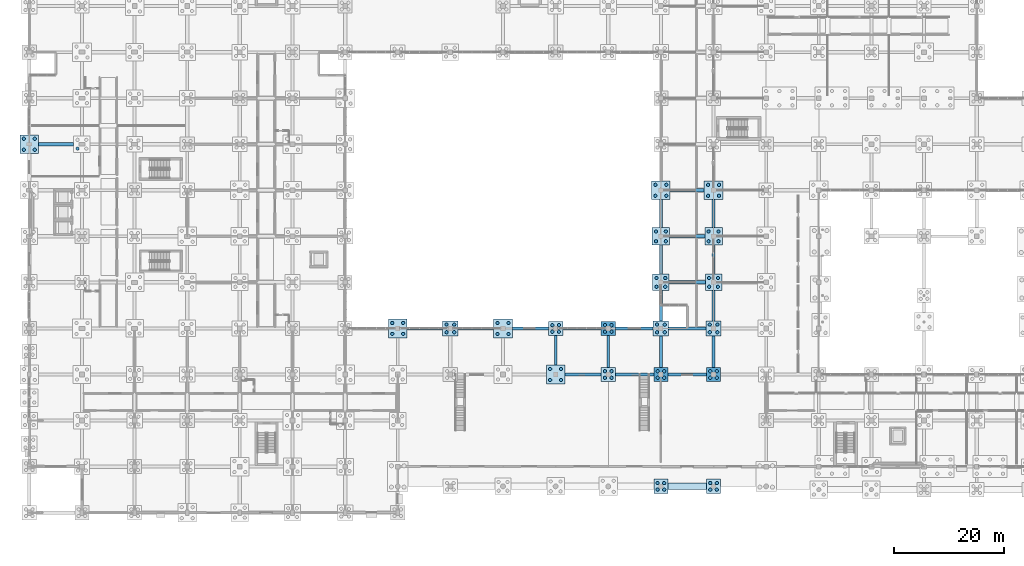
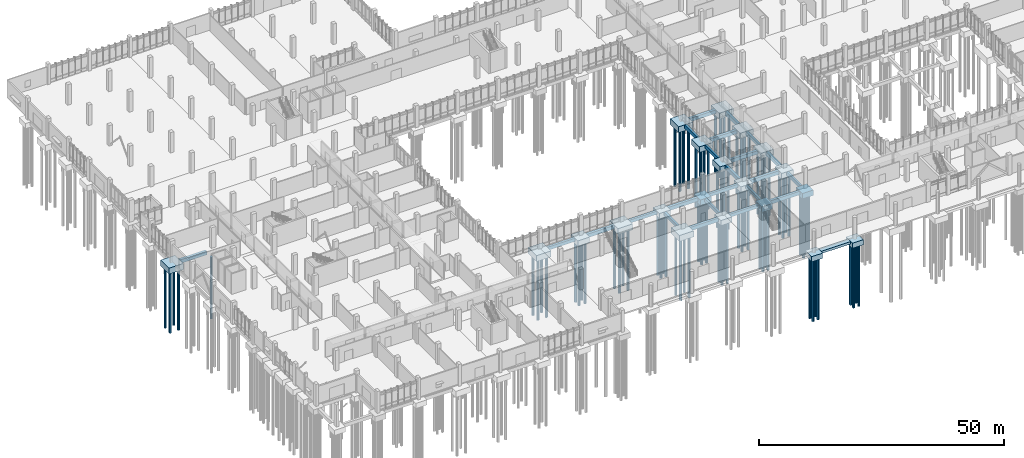
# One storey, part 5 of 136: 81 piles, 44 footings.
"""IFC4 building model written with IfcOpenShell, lengths in metres."""

from ifc_helpers import new_model, si_unit, direction, frame, origin, origin_2d, place, context, subcontext, project, spatial, rectangle, circle, extrude, material, material_profile, profile_set, type_object, element, save


model = new_model("IFC4")

# Units and contexts
model_context = context("Model", 3, precision=1e-05, world=origin(), true_north=direction((0.0, 1.0)))
body_context = subcontext(model_context, "Body", "Model", "MODEL_VIEW")
ifc_project = project(units=[si_unit("LENGTHUNIT", "METRE"), si_unit("AREAUNIT", "SQUARE_METRE"), si_unit("VOLUMEUNIT", "CUBIC_METRE"), si_unit("PLANEANGLEUNIT", "RADIAN"), si_unit("MASSUNIT", "GRAM", prefix="KILO")], contexts=[model_context])

# Site, building, storey
site_placement = place(None, origin())
site = spatial("IfcSite", under=ifc_project, at=site_placement, CompositionType="ELEMENT")
building_placement = place(site_placement, origin())
building = spatial("IfcBuilding", under=site, at=building_placement, Name="Oolite Switchyard Hospital", CompositionType="ELEMENT")
storey_placement = place(building_placement, origin())
storey = spatial("IfcBuildingStorey", under=building, at=storey_placement, Name="L00", CompositionType="ELEMENT", Elevation=0.0)

# Footings
ifc_material = material(Name="Concrete C40/50", Category="concrete")
footing_type_1 = type_object("IfcFootingType", Name="FTG-GB500X800", PredefinedType="FOOTING_BEAM", material=ifc_material)
footing_1_placement = place(storey_placement, frame((110.39990234375, 25.199951171875, -1.14990234375), z_axis=(0.0, 0.0, 1.0), x_axis=(1.0, 0.0, 0.0)))
element("IfcFooting", 1, at=footing_1_placement, inside=storey, type_object=footing_type_1, Name="L00 Grade Beam 46", PredefinedType="FOOTING_BEAM", context=body_context, shape_type="SweptSolid", body=[
    extrude(rectangle(XDim=7.0, YDim=0.5, at=origin_2d()), origin(), (0.0, 0.0, 1.0), 0.800048828125),
])
footing_2_placement = place(storey_placement, frame((72.14990234375, 33.60009765625, -1.14990234375), z_axis=(0.0, 0.0, 1.0), x_axis=(1.0, 0.0, 0.0)))
element("IfcFooting", 2, at=footing_2_placement, inside=storey, type_object=footing_type_1, Name="L00 Grade Beam 64", PredefinedType="FOOTING_BEAM", context=body_context, shape_type="SweptSolid", body=[
    extrude(rectangle(XDim=6.5, YDim=0.5, at=origin_2d()), origin(), (0.0, 0.0, 1.0), 0.800048828125),
])
footing_3_placement = place(storey_placement, frame((91.39990234375, 33.60009765625, -1.14990234375), z_axis=(0.0, 0.0, 1.0), x_axis=(1.0, 0.0, 0.0)))
element("IfcFooting", 3, at=footing_3_placement, inside=storey, type_object=footing_type_1, Name="L00 Grade Beam 66", PredefinedType="FOOTING_BEAM", context=body_context, shape_type="SweptSolid", body=[
    extrude(rectangle(XDim=6.60009765625, YDim=0.5, at=origin_2d()), origin(), (0.0, 0.0, 1.0), 0.800048828125),
])
footing_4_placement = place(storey_placement, frame((110.35009765625, 33.60009765625, -1.14990234375), z_axis=(0.0, 0.0, 1.0), x_axis=(1.0, 0.0, 0.0)))
element("IfcFooting", 4, at=footing_4_placement, inside=storey, type_object=footing_type_1, Name="L00 Grade Beam 68", PredefinedType="FOOTING_BEAM", context=body_context, shape_type="SweptSolid", body=[
    extrude(rectangle(XDim=6.89990234375, YDim=0.5, at=origin_2d()), origin(), (0.0, 0.0, 1.0), 0.800048828125),
])
footing_5_placement = place(storey_placement, frame((96.0, 29.60009765625, -1.14990234375), z_axis=(0.0, 0.0, 1.0), x_axis=(0.0, 1.0, 0.0)))
element("IfcFooting", 5, at=footing_5_placement, inside=storey, type_object=footing_type_1, Name="L00 Grade Beam 393", PredefinedType="FOOTING_BEAM", context=body_context, shape_type="SweptSolid", body=[
    extrude(rectangle(XDim=5.39990234375, YDim=0.5, at=origin_2d()), origin(), (0.0, 0.0, 1.0), 0.800048828125),
])
footing_6_placement = place(storey_placement, frame((105.60009765625, 29.39990234375, -1.14990234375), z_axis=(0.0, 0.0, 1.0), x_axis=(0.0, 1.0, 0.0)))
element("IfcFooting", 6, at=footing_6_placement, inside=storey, type_object=footing_type_1, Name="L00 Grade Beam 397", PredefinedType="FOOTING_BEAM", context=body_context, shape_type="SweptSolid", body=[
    extrude(rectangle(XDim=5.800048828125, YDim=0.5, at=origin_2d()), origin(), (0.0, 0.0, 1.0), 0.800048828125),
])
footing_7_placement = place(storey_placement, frame((115.199951171875, 29.35009765625, -1.14990234375), z_axis=(0.0, 0.0, 1.0), x_axis=(0.0, 1.0, 0.0)))
element("IfcFooting", 7, at=footing_7_placement, inside=storey, type_object=footing_type_1, Name="L00 Grade Beam 401", PredefinedType="FOOTING_BEAM", context=body_context, shape_type="SweptSolid", body=[
    extrude(rectangle(XDim=5.699951171875, YDim=0.5, at=origin_2d()), origin(), (0.0, 0.0, 1.0), 0.800048828125),
])
footing_8_placement = place(storey_placement, frame((115.199951171875, 46.14990234375, -1.14990234375), z_axis=(0.0, 0.0, 1.0), x_axis=(0.0, 1.0, 0.0)))
element("IfcFooting", 8, at=footing_8_placement, inside=storey, type_object=footing_type_1, Name="L00 Grade Beam 403", PredefinedType="FOOTING_BEAM", context=body_context, shape_type="SweptSolid", body=[
    extrude(rectangle(XDim=5.300048828125, YDim=0.5, at=origin_2d()), origin(), (0.0, 0.0, 1.0), 0.800048828125),
])
footing_9_placement = place(storey_placement, frame((124.800048828125, 29.35009765625, -1.14990234375), z_axis=(0.0, 0.0, 1.0), x_axis=(0.0, 1.0, 0.0)))
element("IfcFooting", 9, at=footing_9_placement, inside=storey, type_object=footing_type_1, Name="L00 Grade Beam 411", PredefinedType="FOOTING_BEAM", context=body_context, shape_type="SweptSolid", body=[
    extrude(rectangle(XDim=5.699951171875, YDim=0.5, at=origin_2d()), origin(), (0.0, 0.0, 1.0), 0.800048828125),
])
footing_10_placement = place(storey_placement, frame((124.800048828125, 46.14990234375, -1.14990234375), z_axis=(0.0, 0.0, 1.0), x_axis=(0.0, 1.0, 0.0)))
element("IfcFooting", 10, at=footing_10_placement, inside=storey, type_object=footing_type_1, Name="L00 Grade Beam 413", PredefinedType="FOOTING_BEAM", context=body_context, shape_type="SweptSolid", body=[
    extrude(rectangle(XDim=5.300048828125, YDim=0.5, at=origin_2d()), origin(), (0.0, 0.0, 1.0), 0.800048828125),
])
footing_type_2 = type_object("IfcFootingType", Name="FTG-GB600X900", PredefinedType="FOOTING_BEAM", material=ifc_material)
footing_11_placement = place(storey_placement, frame((101.0, 25.199951171875, -1.25), z_axis=(0.0, 0.0, 1.0), x_axis=(1.0, 0.0, 0.0)))
element("IfcFooting", 11, at=footing_11_placement, inside=storey, type_object=footing_type_2, Name="L00 Grade Beam 45", PredefinedType="FOOTING_BEAM", context=body_context, shape_type="SweptSolid", body=[
    extrude(rectangle(XDim=6.60009765625, YDim=0.60009765625, at=origin_2d()), origin(), (0.0, 0.0, 1.0), 0.89990234375),
])
footing_12_placement = place(storey_placement, frame((120.0, 25.199951171875, -1.25), z_axis=(0.0, 0.0, 1.0), x_axis=(1.0, 0.0, 0.0)))
element("IfcFooting", 12, at=footing_12_placement, inside=storey, type_object=footing_type_2, Name="L00 Grade Beam 47", PredefinedType="FOOTING_BEAM", context=body_context, shape_type="SweptSolid", body=[
    extrude(rectangle(XDim=7.0, YDim=0.60009765625, at=origin_2d()), origin(), (0.0, 0.0, 1.0), 0.89990234375),
])
footing_13_placement = place(storey_placement, frame((81.449951171875, 33.60009765625, -1.25), z_axis=(0.0, 0.0, 1.0), x_axis=(1.0, 0.0, 0.0)))
element("IfcFooting", 13, at=footing_13_placement, inside=storey, type_object=footing_type_2, Name="L00 Grade Beam 65", PredefinedType="FOOTING_BEAM", context=body_context, shape_type="SweptSolid", body=[
    extrude(rectangle(XDim=6.5, YDim=0.60009765625, at=origin_2d()), origin(), (0.0, 0.0, 1.0), 0.89990234375),
])
footing_14_placement = place(storey_placement, frame((100.800048828125, 33.60009765625, -1.25), z_axis=(0.0, 0.0, 1.0), x_axis=(1.0, 0.0, 0.0)))
element("IfcFooting", 14, at=footing_14_placement, inside=storey, type_object=footing_type_2, Name="L00 Grade Beam 67", PredefinedType="FOOTING_BEAM", context=body_context, shape_type="SweptSolid", body=[
    extrude(rectangle(XDim=7.0, YDim=0.60009765625, at=origin_2d()), origin(), (0.0, 0.0, 1.0), 0.89990234375),
])
footing_15_placement = place(storey_placement, frame((120.0, 33.60009765625, -1.25), z_axis=(0.0, 0.0, 1.0), x_axis=(1.0, 0.0, 0.0)))
element("IfcFooting", 15, at=footing_15_placement, inside=storey, type_object=footing_type_2, Name="L00 Grade Beam 69", PredefinedType="FOOTING_BEAM", context=body_context, shape_type="SweptSolid", body=[
    extrude(rectangle(XDim=6.800048828125, YDim=0.60009765625, at=origin_2d()), origin(), (0.0, 0.0, 1.0), 0.89990234375),
])
footing_16_placement = place(storey_placement, frame((120.0, 42.0, -1.25), z_axis=(0.0, 0.0, 1.0), x_axis=(1.0, 0.0, 0.0)))
element("IfcFooting", 16, at=footing_16_placement, inside=storey, type_object=footing_type_2, Name="L00 Grade Beam 79", PredefinedType="FOOTING_BEAM", context=body_context, shape_type="SweptSolid", body=[
    extrude(rectangle(XDim=6.60009765625, YDim=0.60009765625, at=origin_2d()), origin(), (0.0, 0.0, 1.0), 0.89990234375),
])
footing_17_placement = place(storey_placement, frame((120.0, 50.39990234375, -1.25), z_axis=(0.0, 0.0, 1.0), x_axis=(1.0, 0.0, 0.0)))
element("IfcFooting", 17, at=footing_17_placement, inside=storey, type_object=footing_type_2, Name="L00 Grade Beam 89", PredefinedType="FOOTING_BEAM", context=body_context, shape_type="SweptSolid", body=[
    extrude(rectangle(XDim=6.39990234375, YDim=0.60009765625, at=origin_2d()), origin(), (0.0, 0.0, 1.0), 0.89990234375),
])
footing_18_placement = place(storey_placement, frame((120.0, 58.800048828125, -1.25), z_axis=(0.0, 0.0, 1.0), x_axis=(1.0, 0.0, 0.0)))
element("IfcFooting", 18, at=footing_18_placement, inside=storey, type_object=footing_type_2, Name="L00 Grade Beam 101", PredefinedType="FOOTING_BEAM", context=body_context, shape_type="SweptSolid", body=[
    extrude(rectangle(XDim=6.199951171875, YDim=0.60009765625, at=origin_2d()), origin(), (0.0, 0.0, 1.0), 0.89990234375),
])
footing_19_placement = place(storey_placement, frame((4.89990234375, 67.199951171875, -1.25), z_axis=(0.0, 0.0, 1.0), x_axis=(1.0, 0.0, 0.0)))
element("IfcFooting", 19, at=footing_19_placement, inside=storey, type_object=footing_type_2, Name="L00 Grade Beam 111", PredefinedType="FOOTING_BEAM", context=body_context, shape_type="SweptSolid", body=[
    extrude(rectangle(XDim=6.39990234375, YDim=0.60009765625, at=origin_2d()), origin(), (0.0, 0.0, 1.0), 0.89990234375),
])
footing_20_placement = place(storey_placement, frame((115.199951171875, 37.75, -1.25), z_axis=(0.0, 0.0, 1.0), x_axis=(0.0, 1.0, 0.0)))
element("IfcFooting", 20, at=footing_20_placement, inside=storey, type_object=footing_type_2, Name="L00 Grade Beam 402", PredefinedType="FOOTING_BEAM", context=body_context, shape_type="SweptSolid", body=[
    extrude(rectangle(XDim=5.5, YDim=0.60009765625, at=origin_2d()), origin(), (0.0, 0.0, 1.0), 0.89990234375),
])
footing_21_placement = place(storey_placement, frame((115.199951171875, 54.550048828125, -1.25), z_axis=(0.0, 0.0, 1.0), x_axis=(0.0, 1.0, 0.0)))
element("IfcFooting", 21, at=footing_21_placement, inside=storey, type_object=footing_type_2, Name="L00 Grade Beam 404", PredefinedType="FOOTING_BEAM", context=body_context, shape_type="SweptSolid", body=[
    extrude(rectangle(XDim=5.10009765625, YDim=0.60009765625, at=origin_2d()), origin(), (0.0, 0.0, 1.0), 0.89990234375),
])
footing_22_placement = place(storey_placement, frame((124.800048828125, 37.75, -1.25), z_axis=(0.0, 0.0, 1.0), x_axis=(0.0, 1.0, 0.0)))
element("IfcFooting", 22, at=footing_22_placement, inside=storey, type_object=footing_type_2, Name="L00 Grade Beam 412", PredefinedType="FOOTING_BEAM", context=body_context, shape_type="SweptSolid", body=[
    extrude(rectangle(XDim=5.5, YDim=0.60009765625, at=origin_2d()), origin(), (0.0, 0.0, 1.0), 0.89990234375),
])
footing_23_placement = place(storey_placement, frame((124.800048828125, 54.550048828125, -1.25), z_axis=(0.0, 0.0, 1.0), x_axis=(0.0, 1.0, 0.0)))
element("IfcFooting", 23, at=footing_23_placement, inside=storey, type_object=footing_type_2, Name="L00 Grade Beam 414", PredefinedType="FOOTING_BEAM", context=body_context, shape_type="SweptSolid", body=[
    extrude(rectangle(XDim=5.10009765625, YDim=0.60009765625, at=origin_2d()), origin(), (0.0, 0.0, 1.0), 0.89990234375),
])
footing_type_3 = type_object("IfcFootingType", Name="FTG-PC24", PredefinedType="PILE_CAP", material=ifc_material)
for number, where, z_axis, x_axis, name in (
    (24, (96.0, 33.60009765625, -1.64990234375), (0.0, 0.0, 1.0), (1.0, 0.0, 0.0), "L00 Multi-Pile Cap 151"),
    (25, (105.60009765625, 25.199951171875, -1.64990234375), (0.0, 0.0, 1.0), (1.0, 0.0, 0.0), "L00 Multi-Pile Cap 157"),
    (26, (115.199951171875, 4.800048828125, -1.64990234375), (0.0, 0.0, 1.0), (1.0, 0.0, 0.0), "L00 Multi-Pile Cap 163"),
    (27, (124.800048828125, 4.800048828125, -1.64990234375), (0.0, 0.0, 1.0), (1.0, 0.0, 0.0), "L00 Multi-Pile Cap 175"),
):
    element("IfcFooting", number, at=place(storey_placement, frame(where, z_axis=z_axis, x_axis=x_axis)), inside=storey, type_object=footing_type_3, Name=name, PredefinedType="PILE_CAP", context=body_context, shape_type="SweptSolid", body=[
        extrude(rectangle(XDim=2.60009765625, YDim=2.60009765625, at=origin_2d()), origin(), (0.0, 0.0, 1.0), 1.300048828125),
    ])
footing_type_4 = type_object("IfcFootingType", Name="FTG-PC26", PredefinedType="PILE_CAP", material=ifc_material)
for number, where, z_axis, x_axis, name in (
    (28, (105.60009765625, 33.60009765625, -1.699951171875), (0.0, 0.0, 1.0), (1.0, 0.0, 0.0), "L00 Multi-Pile Cap 158"),
    (29, (115.199951171875, 25.199951171875, -1.699951171875), (0.0, 0.0, 1.0), (1.0, 0.0, 0.0), "L00 Multi-Pile Cap 164"),
    (30, (124.800048828125, 25.199951171875, -1.699951171875), (0.0, 0.0, 1.0), (1.0, 0.0, 0.0), "L00 Multi-Pile Cap 176"),
):
    element("IfcFooting", number, at=place(storey_placement, frame(where, z_axis=z_axis, x_axis=x_axis)), inside=storey, type_object=footing_type_4, Name=name, PredefinedType="PILE_CAP", context=body_context, shape_type="SweptSolid", body=[
        extrude(rectangle(XDim=2.60009765625, YDim=2.60009765625, at=origin_2d()), origin(), (0.0, 0.0, 1.0), 1.35009765625),
    ])
footing_type_5 = type_object("IfcFootingType", Name="FTG-PC28", PredefinedType="PILE_CAP", material=ifc_material)
for number, where, z_axis, x_axis, name in (
    (31, (76.800048828125, 33.60009765625, -1.75), (0.0, 0.0, 1.0), (1.0, 0.0, 0.0), "L00 Multi-Pile Cap 135"),
    (32, (115.199951171875, 33.60009765625, -1.75), (0.0, 0.0, 1.0), (1.0, 0.0, 0.0), "L00 Multi-Pile Cap 165"),
    (33, (124.800048828125, 33.60009765625, -1.75), (0.0, 0.0, 1.0), (1.0, 0.0, 0.0), "L00 Multi-Pile Cap 177"),
):
    element("IfcFooting", number, at=place(storey_placement, frame(where, z_axis=z_axis, x_axis=x_axis)), inside=storey, type_object=footing_type_5, Name=name, PredefinedType="PILE_CAP", context=body_context, shape_type="SweptSolid", body=[
        extrude(rectangle(XDim=2.800048828125, YDim=2.800048828125, at=origin_2d()), origin(), (0.0, 0.0, 1.0), 1.39990234375),
    ])
footing_type_6 = type_object("IfcFootingType", Name="FTG-PC30", PredefinedType="PILE_CAP", material=ifc_material)
for number, where, z_axis, x_axis, name in (
    (34, (115.199951171875, 42.0, -1.77001953125), (0.0, 0.0, 1.0), (1.0, 0.0, 0.0), "L00 Multi-Pile Cap 166"),
    (35, (124.800048828125, 42.0, -1.77001953125), (0.0, 0.0, 1.0), (1.0, 0.0, 0.0), "L00 Multi-Pile Cap 178"),
):
    element("IfcFooting", number, at=place(storey_placement, frame(where, z_axis=z_axis, x_axis=x_axis)), inside=storey, type_object=footing_type_6, Name=name, PredefinedType="PILE_CAP", context=body_context, shape_type="SweptSolid", body=[
        extrude(rectangle(XDim=3.0, YDim=3.0, at=origin_2d()), origin(), (0.0, 0.0, 1.0), 1.419921875),
    ])
footing_type_7 = type_object("IfcFootingType", Name="FTG-PC32", PredefinedType="PILE_CAP", material=ifc_material)
for number, where, z_axis, x_axis, name in (
    (36, (115.199951171875, 50.39990234375, -1.7998046875), (0.0, 0.0, 1.0), (1.0, 0.0, 0.0), "L00 Multi-Pile Cap 167"),
    (37, (124.800048828125, 50.39990234375, -1.7998046875), (0.0, 0.0, 1.0), (1.0, 0.0, 0.0), "L00 Multi-Pile Cap 179"),
):
    element("IfcFooting", number, at=place(storey_placement, frame(where, z_axis=z_axis, x_axis=x_axis)), inside=storey, type_object=footing_type_7, Name=name, PredefinedType="PILE_CAP", context=body_context, shape_type="SweptSolid", body=[
        extrude(rectangle(XDim=3.199951171875, YDim=3.199951171875, at=origin_2d()), origin(), (0.0, 0.0, 1.0), 1.449951171875),
    ])
footing_type_8 = type_object("IfcFootingType", Name="FTG-PC34", PredefinedType="PILE_CAP", material=ifc_material)
for number, where, z_axis, x_axis, name in (
    (38, (0.0, 67.199951171875, -1.85009765625), (0.0, 0.0, 1.0), (1.0, 0.0, 0.0), "L00 Multi-Pile Cap 12"),
    (39, (67.199951171875, 33.60009765625, -1.85009765625), (0.0, 0.0, 1.0), (1.0, 0.0, 0.0), "L00 Multi-Pile Cap 126"),
    (40, (86.39990234375, 33.60009765625, -1.85009765625), (0.0, 0.0, 1.0), (1.0, 0.0, 0.0), "L00 Multi-Pile Cap 144"),
    (41, (96.0, 25.199951171875, -1.85009765625), (0.0, 0.0, 1.0), (1.0, 0.0, 0.0), "L00 Multi-Pile Cap 150"),
    (42, (115.199951171875, 58.800048828125, -1.85009765625), (0.0, 0.0, 1.0), (1.0, 0.0, 0.0), "L00 Multi-Pile Cap 168"),
    (43, (124.800048828125, 58.800048828125, -1.85009765625), (0.0, 0.0, 1.0), (1.0, 0.0, 0.0), "L00 Multi-Pile Cap 180"),
):
    element("IfcFooting", number, at=place(storey_placement, frame(where, z_axis=z_axis, x_axis=x_axis)), inside=storey, type_object=footing_type_8, Name=name, PredefinedType="PILE_CAP", context=body_context, shape_type="SweptSolid", body=[
        extrude(rectangle(XDim=3.39990234375, YDim=3.39990234375, at=origin_2d()), origin(), (0.0, 0.0, 1.0), 1.5),
    ])
footing_type_9 = type_object("IfcFootingType", Name="FTG-SF1200X600", PredefinedType="STRIP_FOOTING", material=ifc_material)
footing_24_placement = place(storey_placement, frame((120.0, 4.800048828125, -0.949951171875), z_axis=(0.0, 0.0, 1.0), x_axis=(1.0, 0.0, 0.0)))
element("IfcFooting", 44, at=footing_24_placement, inside=storey, type_object=footing_type_9, Name="L00 Colonnade Strip Footing 10", PredefinedType="STRIP_FOOTING", context=body_context, shape_type="SweptSolid", body=[
    extrude(rectangle(XDim=7.0, YDim=1.199951171875, at=origin_2d()), origin(), (0.0, 0.0, 1.0), 0.60009765625),
])

# Piles
ifc_material_profile = material_profile(ifc_material, circle(Radius=0.300048828125, at=origin_2d()), Name="PILE600")
ifc_profile_set = profile_set([ifc_material_profile], Name="Concrete C40/50")
pile_type = type_object("IfcPileType", Name="PILE-ACIP600", PredefinedType="BORED", material=ifc_profile_set)
for number, where, z_axis, x_axis, name in (
    (45, (-1.0, 66.199951171875, -1.699951171875), (0.0, 0.0, -1.0), (1.0, 0.0, 0.0), "Augercast Pile 45"),
    (46, (1.0, 66.199951171875, -1.699951171875), (0.0, 0.0, -1.0), (1.0, 0.0, 0.0), "Augercast Pile 46"),
    (47, (-1.0, 68.199951171875, -1.699951171875), (0.0, 0.0, -1.0), (1.0, 0.0, 0.0), "Augercast Pile 47"),
    (48, (1.0, 68.199951171875, -1.699951171875), (0.0, 0.0, -1.0), (1.0, 0.0, 0.0), "Augercast Pile 48"),
):
    element("IfcPile", number, at=place(storey_placement, frame(where, z_axis=z_axis, x_axis=x_axis)), inside=storey, type_object=pile_type, Name=name, PredefinedType="BORED", context=body_context, shape_type="SweptSolid", body=[
        extrude(circle(Radius=0.300048828125, at=origin_2d()), origin(), (0.0, 0.0, 1.0), 15.300048828125),
    ])
pile_placement = place(storey_placement, frame((8.800048828125, 66.39990234375, -1.6201171875), z_axis=(0.0, 0.0, -1.0), x_axis=(1.0, 0.0, 0.0)))
element("IfcPile", 49, at=pile_placement, inside=storey, type_object=pile_type, Name="Augercast Pile 109", PredefinedType="BORED", context=body_context, shape_type="SweptSolid", body=[
    extrude(circle(Radius=0.300048828125, at=origin_2d()), origin(), (0.0, 0.0, 1.0), 15.3798828125),
])
for number, where, z_axis, x_axis, name in (
    (50, (66.199951171875, 32.60009765625, -1.699951171875), (0.0, 0.0, -1.0), (1.0, 0.0, 0.0), "Augercast Pile 501"),
    (51, (68.199951171875, 32.60009765625, -1.699951171875), (0.0, 0.0, -1.0), (1.0, 0.0, 0.0), "Augercast Pile 502"),
    (52, (66.199951171875, 34.60009765625, -1.699951171875), (0.0, 0.0, -1.0), (1.0, 0.0, 0.0), "Augercast Pile 503"),
    (53, (68.199951171875, 34.60009765625, -1.699951171875), (0.0, 0.0, -1.0), (1.0, 0.0, 0.0), "Augercast Pile 504"),
):
    element("IfcPile", number, at=place(storey_placement, frame(where, z_axis=z_axis, x_axis=x_axis)), inside=storey, type_object=pile_type, Name=name, PredefinedType="BORED", context=body_context, shape_type="SweptSolid", body=[
        extrude(circle(Radius=0.300048828125, at=origin_2d()), origin(), (0.0, 0.0, 1.0), 15.300048828125),
    ])
for number, where, z_axis, x_axis, name in (
    (54, (76.10009765625, 32.89990234375, -1.60009765625), (0.0, 0.0, -1.0), (1.0, 0.0, 0.0), "Augercast Pile 537"),
    (55, (77.5, 32.89990234375, -1.60009765625), (0.0, 0.0, -1.0), (1.0, 0.0, 0.0), "Augercast Pile 538"),
    (56, (76.10009765625, 34.300048828125, -1.60009765625), (0.0, 0.0, -1.0), (1.0, 0.0, 0.0), "Augercast Pile 539"),
    (57, (77.5, 34.300048828125, -1.60009765625), (0.0, 0.0, -1.0), (1.0, 0.0, 0.0), "Augercast Pile 540"),
):
    element("IfcPile", number, at=place(storey_placement, frame(where, z_axis=z_axis, x_axis=x_axis)), inside=storey, type_object=pile_type, Name=name, PredefinedType="BORED", context=body_context, shape_type="SweptSolid", body=[
        extrude(circle(Radius=0.300048828125, at=origin_2d()), origin(), (0.0, 0.0, 1.0), 15.39990234375),
    ])
for number, where, z_axis, x_axis, name in (
    (58, (85.39990234375, 32.60009765625, -1.699951171875), (0.0, 0.0, -1.0), (1.0, 0.0, 0.0), "Augercast Pile 573"),
    (59, (87.39990234375, 32.60009765625, -1.699951171875), (0.0, 0.0, -1.0), (1.0, 0.0, 0.0), "Augercast Pile 574"),
    (60, (85.39990234375, 34.60009765625, -1.699951171875), (0.0, 0.0, -1.0), (1.0, 0.0, 0.0), "Augercast Pile 575"),
    (61, (87.39990234375, 34.60009765625, -1.699951171875), (0.0, 0.0, -1.0), (1.0, 0.0, 0.0), "Augercast Pile 576"),
    (62, (95.0, 24.199951171875, -1.699951171875), (0.0, 0.0, -1.0), (1.0, 0.0, 0.0), "Augercast Pile 597"),
    (63, (97.0, 24.199951171875, -1.699951171875), (0.0, 0.0, -1.0), (1.0, 0.0, 0.0), "Augercast Pile 598"),
    (64, (95.0, 26.199951171875, -1.699951171875), (0.0, 0.0, -1.0), (1.0, 0.0, 0.0), "Augercast Pile 599"),
    (65, (97.0, 26.199951171875, -1.699951171875), (0.0, 0.0, -1.0), (1.0, 0.0, 0.0), "Augercast Pile 600"),
):
    element("IfcPile", number, at=place(storey_placement, frame(where, z_axis=z_axis, x_axis=x_axis)), inside=storey, type_object=pile_type, Name=name, PredefinedType="BORED", context=body_context, shape_type="SweptSolid", body=[
        extrude(circle(Radius=0.300048828125, at=origin_2d()), origin(), (0.0, 0.0, 1.0), 15.300048828125),
    ])
for number, where, z_axis, x_axis, name in (
    (66, (95.39990234375, 33.0, -1.5), (0.0, 0.0, -1.0), (1.0, 0.0, 0.0), "Augercast Pile 601"),
    (67, (96.60009765625, 33.0, -1.5), (0.0, 0.0, -1.0), (1.0, 0.0, 0.0), "Augercast Pile 602"),
    (68, (95.39990234375, 34.199951171875, -1.5), (0.0, 0.0, -1.0), (1.0, 0.0, 0.0), "Augercast Pile 603"),
    (69, (96.60009765625, 34.199951171875, -1.5), (0.0, 0.0, -1.0), (1.0, 0.0, 0.0), "Augercast Pile 604"),
    (70, (105.0, 24.60009765625, -1.5), (0.0, 0.0, -1.0), (1.0, 0.0, 0.0), "Augercast Pile 625"),
    (71, (106.199951171875, 24.60009765625, -1.5), (0.0, 0.0, -1.0), (1.0, 0.0, 0.0), "Augercast Pile 626"),
    (72, (105.0, 25.800048828125, -1.5), (0.0, 0.0, -1.0), (1.0, 0.0, 0.0), "Augercast Pile 627"),
    (73, (106.199951171875, 25.800048828125, -1.5), (0.0, 0.0, -1.0), (1.0, 0.0, 0.0), "Augercast Pile 628"),
):
    element("IfcPile", number, at=place(storey_placement, frame(where, z_axis=z_axis, x_axis=x_axis)), inside=storey, type_object=pile_type, Name=name, PredefinedType="BORED", context=body_context, shape_type="SweptSolid", body=[
        extrude(circle(Radius=0.300048828125, at=origin_2d()), origin(), (0.0, 0.0, 1.0), 15.5),
    ])
for number, where, z_axis, x_axis, name in (
    (74, (105.0, 33.0, -1.550048828125), (0.0, 0.0, -1.0), (1.0, 0.0, 0.0), "Augercast Pile 629"),
    (75, (106.199951171875, 33.0, -1.550048828125), (0.0, 0.0, -1.0), (1.0, 0.0, 0.0), "Augercast Pile 630"),
    (76, (105.0, 34.199951171875, -1.550048828125), (0.0, 0.0, -1.0), (1.0, 0.0, 0.0), "Augercast Pile 631"),
    (77, (106.199951171875, 34.199951171875, -1.550048828125), (0.0, 0.0, -1.0), (1.0, 0.0, 0.0), "Augercast Pile 632"),
):
    element("IfcPile", number, at=place(storey_placement, frame(where, z_axis=z_axis, x_axis=x_axis)), inside=storey, type_object=pile_type, Name=name, PredefinedType="BORED", context=body_context, shape_type="SweptSolid", body=[
        extrude(circle(Radius=0.300048828125, at=origin_2d()), origin(), (0.0, 0.0, 1.0), 15.449951171875),
    ])
for number, where, z_axis, x_axis, name in (
    (78, (114.60009765625, 4.199951171875, -1.5), (0.0, 0.0, -1.0), (1.0, 0.0, 0.0), "Augercast Pile 649"),
    (79, (115.800048828125, 4.199951171875, -1.5), (0.0, 0.0, -1.0), (1.0, 0.0, 0.0), "Augercast Pile 650"),
    (80, (114.60009765625, 5.39990234375, -1.5), (0.0, 0.0, -1.0), (1.0, 0.0, 0.0), "Augercast Pile 651"),
    (81, (115.800048828125, 5.39990234375, -1.5), (0.0, 0.0, -1.0), (1.0, 0.0, 0.0), "Augercast Pile 652"),
):
    element("IfcPile", number, at=place(storey_placement, frame(where, z_axis=z_axis, x_axis=x_axis)), inside=storey, type_object=pile_type, Name=name, PredefinedType="BORED", context=body_context, shape_type="SweptSolid", body=[
        extrude(circle(Radius=0.300048828125, at=origin_2d()), origin(), (0.0, 0.0, 1.0), 15.5),
    ])
for number, where, z_axis, x_axis, name in (
    (82, (114.60009765625, 24.60009765625, -1.550048828125), (0.0, 0.0, -1.0), (1.0, 0.0, 0.0), "Augercast Pile 653"),
    (83, (115.800048828125, 24.60009765625, -1.550048828125), (0.0, 0.0, -1.0), (1.0, 0.0, 0.0), "Augercast Pile 654"),
    (84, (114.60009765625, 25.800048828125, -1.550048828125), (0.0, 0.0, -1.0), (1.0, 0.0, 0.0), "Augercast Pile 655"),
    (85, (115.800048828125, 25.800048828125, -1.550048828125), (0.0, 0.0, -1.0), (1.0, 0.0, 0.0), "Augercast Pile 656"),
):
    element("IfcPile", number, at=place(storey_placement, frame(where, z_axis=z_axis, x_axis=x_axis)), inside=storey, type_object=pile_type, Name=name, PredefinedType="BORED", context=body_context, shape_type="SweptSolid", body=[
        extrude(circle(Radius=0.300048828125, at=origin_2d()), origin(), (0.0, 0.0, 1.0), 15.449951171875),
    ])
for number, where, z_axis, x_axis, name in (
    (86, (114.5, 32.89990234375, -1.60009765625), (0.0, 0.0, -1.0), (1.0, 0.0, 0.0), "Augercast Pile 657"),
    (87, (115.89990234375, 32.89990234375, -1.60009765625), (0.0, 0.0, -1.0), (1.0, 0.0, 0.0), "Augercast Pile 658"),
    (88, (114.5, 34.300048828125, -1.60009765625), (0.0, 0.0, -1.0), (1.0, 0.0, 0.0), "Augercast Pile 659"),
    (89, (115.89990234375, 34.300048828125, -1.60009765625), (0.0, 0.0, -1.0), (1.0, 0.0, 0.0), "Augercast Pile 660"),
):
    element("IfcPile", number, at=place(storey_placement, frame(where, z_axis=z_axis, x_axis=x_axis)), inside=storey, type_object=pile_type, Name=name, PredefinedType="BORED", context=body_context, shape_type="SweptSolid", body=[
        extrude(circle(Radius=0.300048828125, at=origin_2d()), origin(), (0.0, 0.0, 1.0), 15.39990234375),
    ])
for number, where, z_axis, x_axis, name in (
    (90, (114.39990234375, 41.199951171875, -1.6201171875), (0.0, 0.0, -1.0), (1.0, 0.0, 0.0), "Augercast Pile 661"),
    (91, (116.0, 41.199951171875, -1.6201171875), (0.0, 0.0, -1.0), (1.0, 0.0, 0.0), "Augercast Pile 662"),
    (92, (114.39990234375, 42.800048828125, -1.6201171875), (0.0, 0.0, -1.0), (1.0, 0.0, 0.0), "Augercast Pile 663"),
    (93, (116.0, 42.800048828125, -1.6201171875), (0.0, 0.0, -1.0), (1.0, 0.0, 0.0), "Augercast Pile 664"),
):
    element("IfcPile", number, at=place(storey_placement, frame(where, z_axis=z_axis, x_axis=x_axis)), inside=storey, type_object=pile_type, Name=name, PredefinedType="BORED", context=body_context, shape_type="SweptSolid", body=[
        extrude(circle(Radius=0.300048828125, at=origin_2d()), origin(), (0.0, 0.0, 1.0), 15.3798828125),
    ])
for number, where, z_axis, x_axis, name in (
    (94, (114.300048828125, 49.5, -1.64990234375), (0.0, 0.0, -1.0), (1.0, 0.0, 0.0), "Augercast Pile 665"),
    (95, (116.10009765625, 49.5, -1.64990234375), (0.0, 0.0, -1.0), (1.0, 0.0, 0.0), "Augercast Pile 666"),
    (96, (114.300048828125, 51.300048828125, -1.64990234375), (0.0, 0.0, -1.0), (1.0, 0.0, 0.0), "Augercast Pile 667"),
    (97, (116.10009765625, 51.300048828125, -1.64990234375), (0.0, 0.0, -1.0), (1.0, 0.0, 0.0), "Augercast Pile 668"),
):
    element("IfcPile", number, at=place(storey_placement, frame(where, z_axis=z_axis, x_axis=x_axis)), inside=storey, type_object=pile_type, Name=name, PredefinedType="BORED", context=body_context, shape_type="SweptSolid", body=[
        extrude(circle(Radius=0.300048828125, at=origin_2d()), origin(), (0.0, 0.0, 1.0), 15.35009765625),
    ])
for number, where, z_axis, x_axis, name in (
    (98, (114.199951171875, 57.800048828125, -1.699951171875), (0.0, 0.0, -1.0), (1.0, 0.0, 0.0), "Augercast Pile 669"),
    (99, (116.199951171875, 57.800048828125, -1.699951171875), (0.0, 0.0, -1.0), (1.0, 0.0, 0.0), "Augercast Pile 670"),
    (100, (114.199951171875, 59.800048828125, -1.699951171875), (0.0, 0.0, -1.0), (1.0, 0.0, 0.0), "Augercast Pile 671"),
    (101, (116.199951171875, 59.800048828125, -1.699951171875), (0.0, 0.0, -1.0), (1.0, 0.0, 0.0), "Augercast Pile 672"),
):
    element("IfcPile", number, at=place(storey_placement, frame(where, z_axis=z_axis, x_axis=x_axis)), inside=storey, type_object=pile_type, Name=name, PredefinedType="BORED", context=body_context, shape_type="SweptSolid", body=[
        extrude(circle(Radius=0.300048828125, at=origin_2d()), origin(), (0.0, 0.0, 1.0), 15.300048828125),
    ])
for number, where, z_axis, x_axis, name in (
    (102, (124.199951171875, 4.199951171875, -1.5), (0.0, 0.0, -1.0), (1.0, 0.0, 0.0), "Augercast Pile 697"),
    (103, (125.39990234375, 4.199951171875, -1.5), (0.0, 0.0, -1.0), (1.0, 0.0, 0.0), "Augercast Pile 698"),
    (104, (124.199951171875, 5.39990234375, -1.5), (0.0, 0.0, -1.0), (1.0, 0.0, 0.0), "Augercast Pile 699"),
    (105, (125.39990234375, 5.39990234375, -1.5), (0.0, 0.0, -1.0), (1.0, 0.0, 0.0), "Augercast Pile 700"),
):
    element("IfcPile", number, at=place(storey_placement, frame(where, z_axis=z_axis, x_axis=x_axis)), inside=storey, type_object=pile_type, Name=name, PredefinedType="BORED", context=body_context, shape_type="SweptSolid", body=[
        extrude(circle(Radius=0.300048828125, at=origin_2d()), origin(), (0.0, 0.0, 1.0), 15.5),
    ])
for number, where, z_axis, x_axis, name in (
    (106, (124.199951171875, 24.60009765625, -1.550048828125), (0.0, 0.0, -1.0), (1.0, 0.0, 0.0), "Augercast Pile 701"),
    (107, (125.39990234375, 24.60009765625, -1.550048828125), (0.0, 0.0, -1.0), (1.0, 0.0, 0.0), "Augercast Pile 702"),
    (108, (124.199951171875, 25.800048828125, -1.550048828125), (0.0, 0.0, -1.0), (1.0, 0.0, 0.0), "Augercast Pile 703"),
    (109, (125.39990234375, 25.800048828125, -1.550048828125), (0.0, 0.0, -1.0), (1.0, 0.0, 0.0), "Augercast Pile 704"),
):
    element("IfcPile", number, at=place(storey_placement, frame(where, z_axis=z_axis, x_axis=x_axis)), inside=storey, type_object=pile_type, Name=name, PredefinedType="BORED", context=body_context, shape_type="SweptSolid", body=[
        extrude(circle(Radius=0.300048828125, at=origin_2d()), origin(), (0.0, 0.0, 1.0), 15.449951171875),
    ])
for number, where, z_axis, x_axis, name in (
    (110, (124.10009765625, 32.89990234375, -1.60009765625), (0.0, 0.0, -1.0), (1.0, 0.0, 0.0), "Augercast Pile 705"),
    (111, (125.5, 32.89990234375, -1.60009765625), (0.0, 0.0, -1.0), (1.0, 0.0, 0.0), "Augercast Pile 706"),
    (112, (124.10009765625, 34.300048828125, -1.60009765625), (0.0, 0.0, -1.0), (1.0, 0.0, 0.0), "Augercast Pile 707"),
    (113, (125.5, 34.300048828125, -1.60009765625), (0.0, 0.0, -1.0), (1.0, 0.0, 0.0), "Augercast Pile 708"),
):
    element("IfcPile", number, at=place(storey_placement, frame(where, z_axis=z_axis, x_axis=x_axis)), inside=storey, type_object=pile_type, Name=name, PredefinedType="BORED", context=body_context, shape_type="SweptSolid", body=[
        extrude(circle(Radius=0.300048828125, at=origin_2d()), origin(), (0.0, 0.0, 1.0), 15.39990234375),
    ])
for number, where, z_axis, x_axis, name in (
    (114, (124.0, 41.199951171875, -1.6201171875), (0.0, 0.0, -1.0), (1.0, 0.0, 0.0), "Augercast Pile 709"),
    (115, (125.60009765625, 41.199951171875, -1.6201171875), (0.0, 0.0, -1.0), (1.0, 0.0, 0.0), "Augercast Pile 710"),
    (116, (124.0, 42.800048828125, -1.6201171875), (0.0, 0.0, -1.0), (1.0, 0.0, 0.0), "Augercast Pile 711"),
    (117, (125.60009765625, 42.800048828125, -1.6201171875), (0.0, 0.0, -1.0), (1.0, 0.0, 0.0), "Augercast Pile 712"),
):
    element("IfcPile", number, at=place(storey_placement, frame(where, z_axis=z_axis, x_axis=x_axis)), inside=storey, type_object=pile_type, Name=name, PredefinedType="BORED", context=body_context, shape_type="SweptSolid", body=[
        extrude(circle(Radius=0.300048828125, at=origin_2d()), origin(), (0.0, 0.0, 1.0), 15.3798828125),
    ])
for number, where, z_axis, x_axis, name in (
    (118, (123.89990234375, 49.5, -1.64990234375), (0.0, 0.0, -1.0), (1.0, 0.0, 0.0), "Augercast Pile 713"),
    (119, (125.699951171875, 49.5, -1.64990234375), (0.0, 0.0, -1.0), (1.0, 0.0, 0.0), "Augercast Pile 714"),
    (120, (123.89990234375, 51.300048828125, -1.64990234375), (0.0, 0.0, -1.0), (1.0, 0.0, 0.0), "Augercast Pile 715"),
    (121, (125.699951171875, 51.300048828125, -1.64990234375), (0.0, 0.0, -1.0), (1.0, 0.0, 0.0), "Augercast Pile 716"),
):
    element("IfcPile", number, at=place(storey_placement, frame(where, z_axis=z_axis, x_axis=x_axis)), inside=storey, type_object=pile_type, Name=name, PredefinedType="BORED", context=body_context, shape_type="SweptSolid", body=[
        extrude(circle(Radius=0.300048828125, at=origin_2d()), origin(), (0.0, 0.0, 1.0), 15.35009765625),
    ])
for number, where, z_axis, x_axis, name in (
    (122, (123.800048828125, 57.800048828125, -1.699951171875), (0.0, 0.0, -1.0), (1.0, 0.0, 0.0), "Augercast Pile 717"),
    (123, (125.800048828125, 57.800048828125, -1.699951171875), (0.0, 0.0, -1.0), (1.0, 0.0, 0.0), "Augercast Pile 718"),
    (124, (123.800048828125, 59.800048828125, -1.699951171875), (0.0, 0.0, -1.0), (1.0, 0.0, 0.0), "Augercast Pile 719"),
    (125, (125.800048828125, 59.800048828125, -1.699951171875), (0.0, 0.0, -1.0), (1.0, 0.0, 0.0), "Augercast Pile 720"),
):
    element("IfcPile", number, at=place(storey_placement, frame(where, z_axis=z_axis, x_axis=x_axis)), inside=storey, type_object=pile_type, Name=name, PredefinedType="BORED", context=body_context, shape_type="SweptSolid", body=[
        extrude(circle(Radius=0.300048828125, at=origin_2d()), origin(), (0.0, 0.0, 1.0), 15.300048828125),
    ])

save(model, "model.ifc")
